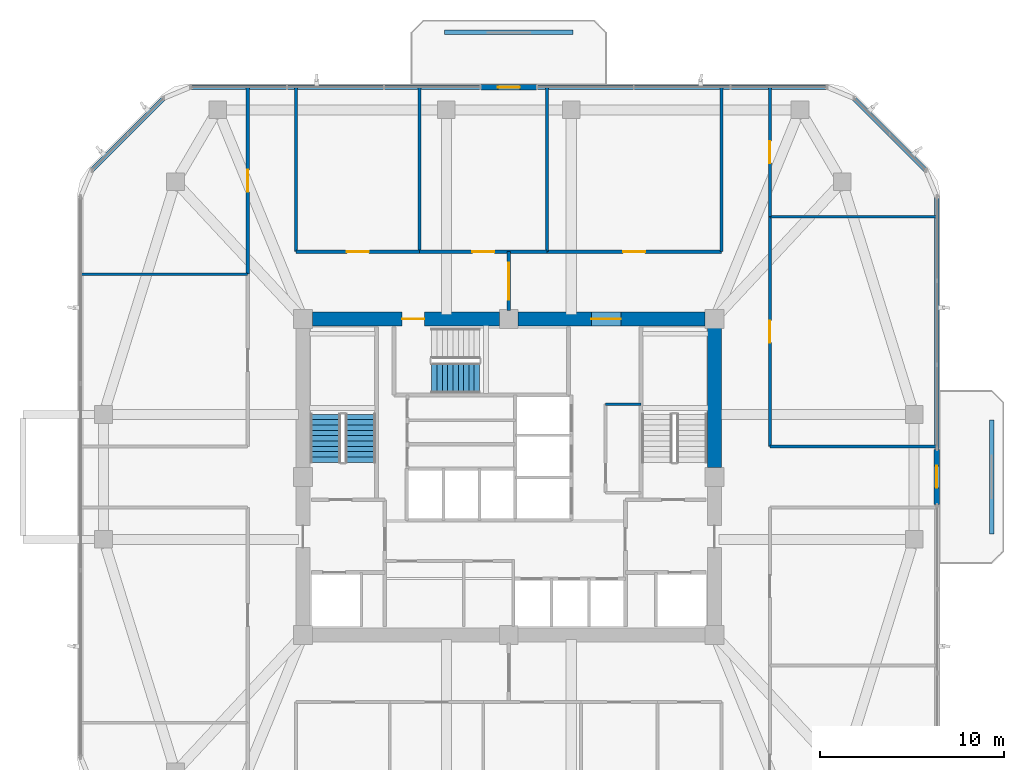
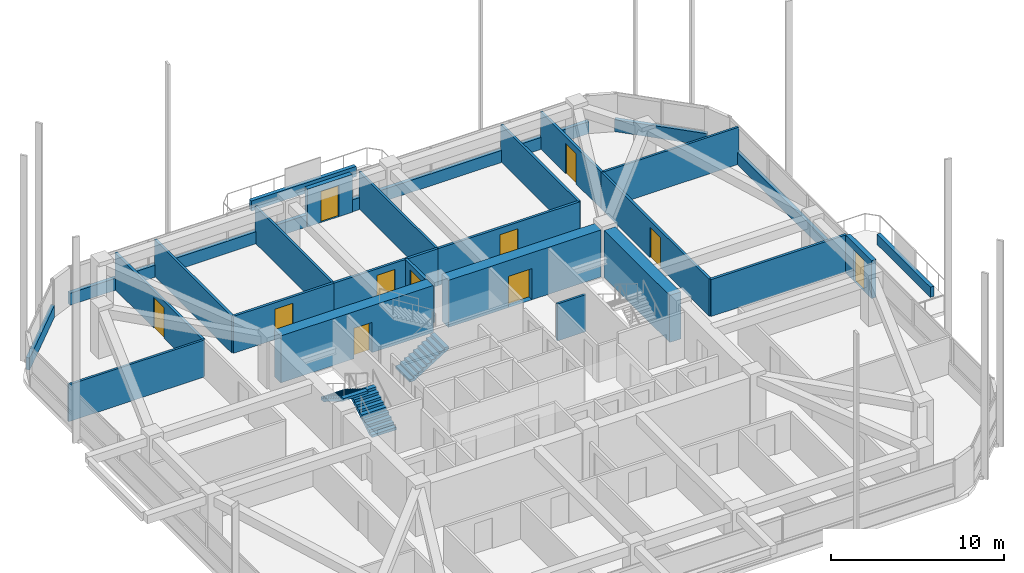
# One storey, part 10 of 14: 27 walls, 11 doors, 3 stair flights, 11 openings, 2 elements without a shape of their own.
"""IFC4 building model written with IfcOpenShell, lengths in metres."""

from ifc_helpers import new_model, si_unit, derived_unit, direction, frame, frame_2d, origin, place, context, subcontext, project, spatial, polyline, rectangle, outline, extrude, material, layer, layer_set, type_object, element, fill, aggregate, save


model = new_model("IFC4")

# Units and contexts
model_context = context("Model", 3, precision=1e-05, world=origin(), true_north=direction((0.0, 1.0)))
body_context = subcontext(model_context, "Body", "Model", "MODEL_VIEW")
ifc_project = project(units=[si_unit("LENGTHUNIT", "METRE"), si_unit("AREAUNIT", "SQUARE_METRE"), si_unit("VOLUMEUNIT", "CUBIC_METRE"), si_unit("PLANEANGLEUNIT", "RADIAN"), si_unit("MASSUNIT", "GRAM", prefix="KILO"), derived_unit("THERMALTRANSMITTANCEUNIT", [(si_unit("POWERUNIT", "WATT"), 1), (si_unit("LENGTHUNIT", "METRE"), -2), (si_unit("THERMODYNAMICTEMPERATUREUNIT", "KELVIN"), -1)])], contexts=[model_context])

# Site, building, storey
site_placement = place(None, origin())
site = spatial("IfcSite", under=ifc_project, at=site_placement, CompositionType="ELEMENT")
building_placement = place(site_placement, origin())
building = spatial("IfcBuilding", under=site, at=building_placement, Name="Koralith Skygarden Medical Center", CompositionType="ELEMENT")
storey_placement = place(building_placement, frame((0.0, 0.0, 145.6201171875)))
storey = spatial("IfcBuildingStorey", under=building, at=storey_placement, Name="L37", CompositionType="ELEMENT", Elevation=145.6201171875)

# Walls
ifc_material_1 = material(Name="Gypsum Board Partition")
ifc_layer_1 = layer(ifc_material_1, 0.14990234375)
ifc_layer_set_1 = layer_set([ifc_layer_1], Name="Gypsum Board Partition")
wall_type_1 = type_object("IfcWallType", Name="Clinical Acoustic Partition 150", PredefinedType="PARTITIONING", material=ifc_layer_set_1)
wall_1_placement = place(storey_placement, frame((42.27001953125, 29.860107421875, 0.0), z_axis=(0.0, 0.0, 1.0), x_axis=(1.0, 0.0, 0.0)))
element("IfcWall", 1, at=wall_1_placement, inside=storey, type_object=wall_type_1, Name="L37 Clinical Acoustic Partition 150 W-CORE-L37-ESUB-N", PredefinedType="PARTITIONING", context=body_context, shape_type="SweptSolid", body=[
    extrude(rectangle(XDim=1.929931640625, YDim=0.14990234375, at=frame_2d((0.96484375, 0.0))), origin(), (0.0, 0.0, 1.0), 2.60986328125),
])
for number, where, z_axis, x_axis, name in (
    (2, (32.14501953125, 38.159912109375, 0.0), (0.0, 0.0, 1.0), (0.0, 1.0, 0.0), "L37 Clinical Acoustic Partition 150 W-PART-L37-N-01"),
    (3, (39.0810546875, 38.159912109375, 0.0), (0.0, 0.0, 1.0), (0.0, 1.0, 0.0), "L37 Clinical Acoustic Partition 150 W-PART-L37-N-02"),
):
    element("IfcWall", number, at=place(storey_placement, frame(where, z_axis=z_axis, x_axis=x_axis)), inside=storey, type_object=wall_type_1, Name=name, PredefinedType="PARTITIONING", context=body_context, shape_type="SweptSolid", body=[
        extrude(rectangle(XDim=8.940185546875, YDim=0.14990234375, at=frame_2d((4.47021484375, 0.0))), origin(), (0.0, 0.0, 1.0), 2.60986328125),
    ])
for number, where, z_axis, x_axis, name in (
    (4, (22.7900390625, 36.93896484375, 0.0), (0.0, 0.0, 1.0), (-1.0, 0.0, 0.0), "L37 Clinical Acoustic Partition 150 W-PART-L37-WN-01"),
    (5, (51.2099609375, 40.06591796875, 0.0), (0.0, 0.0, 1.0), (1.0, 0.0, 0.0), "L37 Clinical Acoustic Partition 150 W-PART-L37-EN-01"),
):
    element("IfcWall", number, at=place(storey_placement, frame(where, z_axis=z_axis, x_axis=x_axis)), inside=storey, type_object=wall_type_1, Name=name, PredefinedType="PARTITIONING", context=body_context, shape_type="SweptSolid", body=[
        extrude(rectangle(XDim=9.073974609375, YDim=0.14990234375, at=frame_2d((4.537109375, 0.0))), origin(), (0.0, 0.0, 1.0), 2.60986328125),
    ])
ifc_layer_2 = layer(ifc_material_1, 0.1650390625)
ifc_layer_set_2 = layer_set([ifc_layer_2], Name="Gypsum Board Partition")
wall_type_2 = type_object("IfcWallType", Name="Clinical Corridor Partition 165", PredefinedType="PARTITIONING", material=ifc_layer_set_2)
for number, where, z_axis, x_axis, name in (
    (6, (25.429931640625, 38.159912109375, 0.0), (0.0, 0.0, 1.0), (0.0, 1.0, 0.0), "L37 Clinical Corridor Partition 165 W-HCOR-L37-NW"),
    (7, (48.570068359375, 38.159912109375, 0.0), (0.0, 0.0, 1.0), (0.0, 1.0, 0.0), "L37 Clinical Corridor Partition 165 W-HCOR-L37-NE"),
):
    element("IfcWall", number, at=place(storey_placement, frame(where, z_axis=z_axis, x_axis=x_axis)), inside=storey, type_object=wall_type_2, Name=name, PredefinedType="PARTITIONING", context=body_context, shape_type="SweptSolid", body=[
        extrude(rectangle(XDim=8.940185546875, YDim=0.1650390625, at=frame_2d((4.47021484375, 0.0))), origin(), (0.0, 0.0, 1.0), 2.60986328125),
    ])
wall_2_placement = place(storey_placement, frame((51.2099609375, 27.56005859375, 0.0), z_axis=(0.0, 0.0, 1.0), x_axis=(1.0, 0.0, 0.0)))
element("IfcWall", 8, at=wall_2_placement, inside=storey, type_object=wall_type_2, Name="L37 Clinical Corridor Partition 165 W-HCOR-L37-EWN-E", PredefinedType="PARTITIONING", context=body_context, shape_type="SweptSolid", body=[
    extrude(rectangle(XDim=9.073974609375, YDim=0.1650390625, at=frame_2d((4.537109375, 0.0))), origin(), (0.0, 0.0, 1.0), 2.60986328125),
])

# Wall, opening, door
wall_3_placement = place(storey_placement, frame((25.429931640625, 38.159912109375, 0.0), z_axis=(0.0, 0.0, 1.0), x_axis=(1.0, 0.0, 0.0)))
wall_3 = element("IfcWall", 9, at=wall_3_placement, inside=storey, type_object=wall_type_2, Name="L37 Clinical Corridor Partition 165 W-CORR-L37-N-01", PredefinedType="PARTITIONING", context=body_context, shape_type="SweptSolid", body=[
    extrude(rectangle(XDim=6.715087890625, YDim=0.1650390625, at=frame_2d((3.357421875, 0.0))), origin(), (0.0, 0.0, 1.0), 2.60986328125),
])
opening_1_placement = place(wall_3_placement, frame((2.758056640625, 0.0, 0.0)))
opening_1 = element("IfcOpeningElement", 10, at=opening_1_placement, cuts=wall_3, Name="Opening D-CLN", PredefinedType="OPENING", context=body_context, shape_type="SweptSolid", body=[
    extrude(rectangle(XDim=1.199951171875, YDim=2.14990234375, at=frame_2d((0.60009765625, 1.074951171875))), frame((0.0, 0.092529296875, 0.0), z_axis=(0.0, -1.0, 0.0), x_axis=(1.0, 0.0, 0.0)), (0.0, 0.0, 1.0), 0.18505859375),
])
ifc_material_2 = material(Name="Aluminium 6063-T6", Category="aluminium")
door_type_1 = type_object("IfcDoorType", Name="Clinical Corridor Door D-CLN 1200", OperationType="NOTDEFINED", PredefinedType="DOOR", material=ifc_material_2)
door_1_placement = place(opening_1_placement, origin())
door_1 = element("IfcDoor", 11, at=door_1_placement, inside=storey, type_object=door_type_1, Name="L37 Dermatology Procedure Room 01 Door", OperationType="SINGLE_SWING_RIGHT", OverallHeight=2.14990234375, OverallWidth=1.199951171875, PredefinedType="DOOR", context=body_context, shape_type="SweptSolid", body=[
    extrude(rectangle(XDim=1.199951171875, YDim=2.14990234375, at=frame_2d((0.60009765625, 1.074951171875))), frame((0.0, 0.02490234375, 0.0), z_axis=(0.0, -1.0, 0.0), x_axis=(1.0, 0.0, 0.0)), (0.0, 0.0, 1.0), 0.050048828125),
])
fill(opening_1, door_1)

wall_4_placement = place(storey_placement, frame((32.14501953125, 38.159912109375, 0.0), z_axis=(0.0, 0.0, 1.0), x_axis=(1.0, 0.0, 0.0)))
wall_4 = element("IfcWall", 12, at=wall_4_placement, inside=storey, type_object=wall_type_2, Name="L37 Clinical Corridor Partition 165 W-CORR-L37-N-02", PredefinedType="PARTITIONING", context=body_context, shape_type="SweptSolid", body=[
    extrude(rectangle(XDim=6.93603515625, YDim=0.1650390625, at=frame_2d((3.468017578125, 0.0))), origin(), (0.0, 0.0, 1.0), 2.60986328125),
])
opening_2_placement = place(wall_4_placement, frame((2.867919921875, 0.0, 0.0)))
opening_2 = element("IfcOpeningElement", 13, at=opening_2_placement, cuts=wall_4, Name="Opening D-CLN", PredefinedType="OPENING", context=body_context, shape_type="SweptSolid", body=[
    extrude(rectangle(XDim=1.199951171875, YDim=2.14990234375, at=frame_2d((0.60009765625, 1.074951171875))), frame((0.0, 0.092529296875, 0.0), z_axis=(0.0, -1.0, 0.0), x_axis=(1.0, 0.0, 0.0)), (0.0, 0.0, 1.0), 0.18505859375),
])
door_2_placement = place(opening_2_placement, origin())
door_2 = element("IfcDoor", 14, at=door_2_placement, inside=storey, type_object=door_type_1, Name="L37 Patient and Family Sky-Garden Day Lounge 02 Door", OperationType="SINGLE_SWING_LEFT", OverallHeight=2.14990234375, OverallWidth=1.199951171875, PredefinedType="DOOR", context=body_context, shape_type="SweptSolid", body=[
    extrude(rectangle(XDim=1.199951171875, YDim=2.14990234375, at=frame_2d((0.60009765625, 1.074951171875))), frame((0.0, 0.02490234375, 0.0), z_axis=(0.0, -1.0, 0.0), x_axis=(1.0, 0.0, 0.0)), (0.0, 0.0, 1.0), 0.050048828125),
])
fill(opening_2, door_2)

wall_5_placement = place(storey_placement, frame((39.0810546875, 38.159912109375, 0.0), z_axis=(0.0, 0.0, 1.0), x_axis=(1.0, 0.0, 0.0)))
wall_5 = element("IfcWall", 15, at=wall_5_placement, inside=storey, type_object=wall_type_2, Name="L37 Clinical Corridor Partition 165 W-CORR-L37-N-03", PredefinedType="PARTITIONING", context=body_context, shape_type="SweptSolid", body=[
    extrude(rectangle(XDim=9.489013671875, YDim=0.1650390625, at=frame_2d((4.74462890625, 0.0))), origin(), (0.0, 0.0, 1.0), 2.60986328125),
])
opening_3_placement = place(wall_5_placement, frame((4.14404296875, 0.0, 0.0)))
opening_3 = element("IfcOpeningElement", 16, at=opening_3_placement, cuts=wall_5, Name="Opening D-CLN", PredefinedType="OPENING", context=body_context, shape_type="SweptSolid", body=[
    extrude(rectangle(XDim=1.199951171875, YDim=2.14990234375, at=frame_2d((0.60009765625, 1.074951171875))), frame((0.0, 0.092529296875, 0.0), z_axis=(0.0, -1.0, 0.0), x_axis=(1.0, 0.0, 0.0)), (0.0, 0.0, 1.0), 0.18505859375),
])
door_3_placement = place(opening_3_placement, origin())
door_3 = element("IfcDoor", 17, at=door_3_placement, inside=storey, type_object=door_type_1, Name="L37 Allergy Immunology Office 03 Door", OperationType="SINGLE_SWING_RIGHT", OverallHeight=2.14990234375, OverallWidth=1.199951171875, PredefinedType="DOOR", context=body_context, shape_type="SweptSolid", body=[
    extrude(rectangle(XDim=1.199951171875, YDim=2.14990234375, at=frame_2d((0.60009765625, 1.074951171875))), frame((0.0, 0.02490234375, 0.0), z_axis=(0.0, -1.0, 0.0), x_axis=(1.0, 0.0, 0.0)), (0.0, 0.0, 1.0), 0.050048828125),
])
fill(opening_3, door_3)

wall_6_placement = place(storey_placement, frame((22.7900390625, 36.93896484375, 0.0), z_axis=(0.0, 0.0, 1.0), x_axis=(0.0, 1.0, 0.0)))
wall_6 = element("IfcWall", 18, at=wall_6_placement, inside=storey, type_object=wall_type_2, Name="L37 Clinical Corridor Partition 165 W-CORR-L37-WN-02", PredefinedType="PARTITIONING", context=body_context, shape_type="SweptSolid", body=[
    extrude(rectangle(XDim=10.1611328125, YDim=0.1650390625, at=frame_2d((5.08056640625, 0.0))), origin(), (0.0, 0.0, 1.0), 2.60986328125),
])
opening_4_placement = place(wall_6_placement, frame((4.48095703125, 0.0, 0.0)))
opening_4 = element("IfcOpeningElement", 19, at=opening_4_placement, cuts=wall_6, Name="Opening D-CLN", PredefinedType="OPENING", context=body_context, shape_type="SweptSolid", body=[
    extrude(rectangle(XDim=1.199951171875, YDim=2.14990234375, at=frame_2d((0.60009765625, 1.074951171875))), frame((0.0, 0.092529296875, 0.0), z_axis=(0.0, -1.0, 0.0), x_axis=(1.0, 0.0, 0.0)), (0.0, 0.0, 1.0), 0.18505859375),
])
door_4_placement = place(opening_4_placement, frame((1.199951171875, 0.0, 0.0), z_axis=(0.0, 0.0, 1.0), x_axis=(-1.0, 0.0, 0.0)))
door_4 = element("IfcDoor", 20, at=door_4_placement, inside=storey, type_object=door_type_1, Name="L37 Clinical Tea Pantry 12 Door", OperationType="SINGLE_SWING_LEFT", OverallHeight=2.14990234375, OverallWidth=1.199951171875, PredefinedType="DOOR", context=body_context, shape_type="SweptSolid", body=[
    extrude(rectangle(XDim=1.199951171875, YDim=2.14990234375, at=frame_2d((0.60009765625, 1.074951171875))), frame((0.0, 0.02490234375, 0.0), z_axis=(0.0, -1.0, 0.0), x_axis=(1.0, 0.0, 0.0)), (0.0, 0.0, 1.0), 0.050048828125),
])
fill(opening_4, door_4)

wall_7_placement = place(storey_placement, frame((51.2099609375, 27.56005859375, 0.0), z_axis=(0.0, 0.0, 1.0), x_axis=(0.0, 1.0, 0.0)))
wall_7 = element("IfcWall", 21, at=wall_7_placement, inside=storey, type_object=wall_type_2, Name="L37 Clinical Corridor Partition 165 W-CORR-L37-EN-01", PredefinedType="PARTITIONING", context=body_context, shape_type="SweptSolid", body=[
    extrude(rectangle(XDim=12.505859375, YDim=0.1650390625, at=frame_2d((6.2529296875, 0.0))), origin(), (0.0, 0.0, 1.0), 2.60986328125),
])
opening_5_placement = place(wall_7_placement, frame((5.653076171875, 0.0, 0.0)))
opening_5 = element("IfcOpeningElement", 22, at=opening_5_placement, cuts=wall_7, Name="Opening D-CLN", PredefinedType="OPENING", context=body_context, shape_type="SweptSolid", body=[
    extrude(rectangle(XDim=1.199951171875, YDim=2.14990234375, at=frame_2d((0.60009765625, 1.074951171875))), frame((0.0, 0.092529296875, 0.0), z_axis=(0.0, -1.0, 0.0), x_axis=(1.0, 0.0, 0.0)), (0.0, 0.0, 1.0), 0.18505859375),
])
door_5_placement = place(opening_5_placement, origin())
door_5 = element("IfcDoor", 23, at=door_5_placement, inside=storey, type_object=door_type_1, Name="L37 Allergy Immunology Office 15 Door", OperationType="SINGLE_SWING_RIGHT", OverallHeight=2.14990234375, OverallWidth=1.199951171875, PredefinedType="DOOR", context=body_context, shape_type="SweptSolid", body=[
    extrude(rectangle(XDim=1.199951171875, YDim=2.14990234375, at=frame_2d((0.60009765625, 1.074951171875))), frame((0.0, 0.02490234375, 0.0), z_axis=(0.0, -1.0, 0.0), x_axis=(1.0, 0.0, 0.0)), (0.0, 0.0, 1.0), 0.050048828125),
])
fill(opening_5, door_5)

wall_8_placement = place(storey_placement, frame((51.2099609375, 40.06591796875, 0.0), z_axis=(0.0, 0.0, 1.0), x_axis=(0.0, 1.0, 0.0)))
wall_8 = element("IfcWall", 24, at=wall_8_placement, inside=storey, type_object=wall_type_2, Name="L37 Clinical Corridor Partition 165 W-CORR-L37-EN-02", PredefinedType="PARTITIONING", context=body_context, shape_type="SweptSolid", body=[
    extrude(rectangle(XDim=7.0341796875, YDim=0.1650390625, at=frame_2d((3.51708984375, 0.0))), origin(), (0.0, 0.0, 1.0), 2.60986328125),
])
opening_6_placement = place(wall_8_placement, frame((2.9169921875, 0.0, 0.0)))
opening_6 = element("IfcOpeningElement", 25, at=opening_6_placement, cuts=wall_8, Name="Opening D-CLN", PredefinedType="OPENING", context=body_context, shape_type="SweptSolid", body=[
    extrude(rectangle(XDim=1.199951171875, YDim=2.14990234375, at=frame_2d((0.60009765625, 1.074951171875))), frame((0.0, 0.092529296875, 0.0), z_axis=(0.0, -1.0, 0.0), x_axis=(1.0, 0.0, 0.0)), (0.0, 0.0, 1.0), 0.18505859375),
])
door_6_placement = place(opening_6_placement, origin())
door_6 = element("IfcDoor", 26, at=door_6_placement, inside=storey, type_object=door_type_1, Name="L37 Clinical Tea Pantry 16 Door", OperationType="SINGLE_SWING_LEFT", OverallHeight=2.14990234375, OverallWidth=1.199951171875, PredefinedType="DOOR", context=body_context, shape_type="SweptSolid", body=[
    extrude(rectangle(XDim=1.199951171875, YDim=2.14990234375, at=frame_2d((0.60009765625, 1.074951171875))), frame((0.0, 0.02490234375, 0.0), z_axis=(0.0, -1.0, 0.0), x_axis=(1.0, 0.0, 0.0)), (0.0, 0.0, 1.0), 0.050048828125),
])
fill(opening_6, door_6)

ifc_layer_3 = layer(ifc_material_1, 0.179931640625)
ifc_layer_set_3 = layer_set([ifc_layer_3], Name="Gypsum Board Partition")
wall_type_3 = type_object("IfcWallType", Name="Group I-2 Smoke Barrier Wall 180", PredefinedType="PARTITIONING", material=ifc_layer_set_3)
wall_9_placement = place(storey_placement, frame((37.0, 34.949951171875, 0.0), z_axis=(0.0, 0.0, 1.0), x_axis=(0.0, 1.0, 0.0)))
wall_9 = element("IfcWall", 27, at=wall_9_placement, inside=storey, type_object=wall_type_3, Name="L37 Group I-2 Smoke Barrier Wall 180 W-SMK-L37-N", PredefinedType="PARTITIONING", context=body_context, shape_type="SweptSolid", body=[
    extrude(rectangle(XDim=3.2099609375, YDim=0.179931640625, at=frame_2d((1.60498046875, 0.0))), origin(), (0.0, 0.0, 1.0), 2.60986328125),
])
opening_7_placement = place(wall_9_placement, frame((0.60498046875, 0.0, 0.0)))
opening_7 = element("IfcOpeningElement", 28, at=opening_7_placement, cuts=wall_9, Name="Opening D-SMK", PredefinedType="OPENING", context=body_context, shape_type="SweptSolid", body=[
    extrude(rectangle(XDim=2.0, YDim=2.199951171875, at=frame_2d((1.0, 1.10009765625))), frame((0.0, 0.099853515625, 0.0), z_axis=(0.0, -1.0, 0.0), x_axis=(1.0, 0.0, 0.0)), (0.0, 0.0, 1.0), 0.199951171875),
])
ifc_material_3 = material(Name="Steel ASTM A500 Grade C", Category="steel")
door_type_2 = type_object("IfcDoorType", Name="Cross-Corridor Double Smoke Door FD60S 2000", OperationType="NOTDEFINED", PredefinedType="DOOR", material=ifc_material_3)
door_7_placement = place(opening_7_placement, origin())
door_7 = element("IfcDoor", 29, at=door_7_placement, inside=storey, type_object=door_type_2, Name="L37 N Smoke Compartment Cross-Corridor Door", OperationType="DOUBLE_DOOR_SINGLE_SWING", OverallHeight=2.199951171875, OverallWidth=2.0, PredefinedType="DOOR", context=body_context, shape_type="SweptSolid", body=[
    extrude(rectangle(XDim=2.0, YDim=2.199951171875, at=frame_2d((1.0, 1.10009765625))), frame((0.0, 0.02490234375, 0.0), z_axis=(0.0, -1.0, 0.0), x_axis=(1.0, 0.0, 0.0)), (0.0, 0.0, 1.0), 0.050048828125),
])
fill(opening_7, door_7)

# Walls
ifc_material_4 = material(Name="Warm Oolitic Limestone Cladding", Category="masonry")
ifc_layer_4 = layer(ifc_material_4, 0.239990234375)
ifc_layer_set_4 = layer_set([ifc_layer_4], Name="Warm Oolitic Limestone Cladding")
wall_type_4 = type_object("IfcWallType", Name="Limestone Spandrel Sill Backup Wall 240", PredefinedType="SOLIDWALL", material=ifc_layer_set_4)
wall_10_placement = place(storey_placement, frame((60.303955078125, 27.43994140625, 0.0), z_axis=(0.0, 0.0, 1.0), x_axis=(0.0, 1.0, 0.0)))
element("IfcWall", 30, at=wall_10_placement, inside=storey, type_object=wall_type_4, Name="L37 Sill Spandrel E-R", PredefinedType="SOLIDWALL", context=body_context, shape_type="SweptSolid", body=[
    extrude(rectangle(XDim=13.705078125, YDim=0.239990234375, at=frame_2d((6.8525390625, 0.0))), origin(), (0.0, 0.0, 1.0), 0.849853515625),
])
wall_11_placement = place(storey_placement, frame((59.702880859375, 42.595947265625, 0.0), z_axis=(0.0, 0.0, 1.0), x_axis=(-0.707084777957, 0.707128783731, 0.0)))
element("IfcWall", 31, at=wall_11_placement, inside=storey, type_object=wall_type_4, Name="L37 Sill Spandrel NE", PredefinedType="SOLIDWALL", context=body_context, shape_type="SweptSolid", body=[
    extrude(rectangle(XDim=5.5478515625, YDim=0.239990234375, at=frame_2d((2.77392578125, 0.0))), origin(), (0.0, 0.0, 1.0), 0.849853515625),
])
wall_12_placement = place(storey_placement, frame((54.3291015625, 47.1201171875, 0.0), z_axis=(0.0, 0.0, 1.0), x_axis=(-1.0, 0.0, 0.0)))
element("IfcWall", 32, at=wall_12_placement, inside=storey, type_object=wall_type_4, Name="L37 Sill Spandrel N-L", PredefinedType="SOLIDWALL", context=body_context, shape_type="SweptSolid", body=[
    extrude(rectangle(XDim=15.7880859375, YDim=0.239990234375, at=frame_2d((7.89404296875, 0.0))), origin(), (0.0, 0.0, 1.0), 0.849853515625),
])
wall_13_placement = place(storey_placement, frame((35.4609375, 47.1201171875, 0.0), z_axis=(0.0, 0.0, 1.0), x_axis=(-1.0, 0.0, 0.0)))
element("IfcWall", 33, at=wall_13_placement, inside=storey, type_object=wall_type_4, Name="L37 Sill Spandrel N-R", PredefinedType="SOLIDWALL", context=body_context, shape_type="SweptSolid", body=[
    extrude(rectangle(XDim=15.7900390625, YDim=0.239990234375, at=frame_2d((7.89501953125, 0.0))), origin(), (0.0, 0.0, 1.0), 0.849853515625),
])
wall_14_placement = place(storey_placement, frame((18.219970703125, 46.51904296875, 0.0), z_axis=(0.0, 0.0, 1.0), x_axis=(-0.707084777957, -0.707128783731, 0.0)))
element("IfcWall", 34, at=wall_14_placement, inside=storey, type_object=wall_type_4, Name="L37 Sill Spandrel NW", PredefinedType="SOLIDWALL", context=body_context, shape_type="SweptSolid", body=[
    extrude(rectangle(XDim=5.5478515625, YDim=0.239990234375, at=frame_2d((2.77392578125, 0.0))), origin(), (0.0, 0.0, 1.0), 0.849853515625),
])
ifc_material_5 = material(Name="Concrete C70/85", Category="concrete")
ifc_layer_5 = layer(ifc_material_5, 0.75)
ifc_layer_set_5 = layer_set([ifc_layer_5], Name="Concrete C70/85")
wall_type_5 = type_object("IfcWallType", Name="Mid Core Shear Wall 750", PredefinedType="SHEAR", material=ifc_layer_set_5)
wall_15_placement = place(storey_placement, frame((48.199951171875, 26.405029296875, 0.0), z_axis=(0.0, 0.0, 1.0), x_axis=(0.0, 1.0, 0.0)))
element("IfcWall", 35, at=wall_15_placement, inside=storey, type_object=wall_type_5, Name="L37 Core Shear Wall Segment 4", PredefinedType="SHEAR", context=body_context, shape_type="SweptSolid", body=[
    extrude(rectangle(XDim=7.590087890625, YDim=0.75, at=frame_2d((3.794921875, 0.0))), origin(), (0.0, 0.0, 1.0), 3.31982421875),
])

# Wall, opening, door
wall_16_placement = place(storey_placement, frame((47.695068359375, 34.5, 0.0), z_axis=(0.0, 0.0, 1.0), x_axis=(-1.0, 0.0, 0.0)))
wall_16 = element("IfcWall", 36, at=wall_16_placement, inside=storey, type_object=wall_type_5, Name="L37 Core Shear Wall Segment 5", PredefinedType="SHEAR", context=body_context, shape_type="SweptSolid", body=[
    extrude(rectangle(XDim=10.190185546875, YDim=0.75, at=frame_2d((5.09521484375, 0.0))), origin(), (0.0, 0.0, 1.0), 3.31982421875),
])
opening_8_placement = place(wall_16_placement, frame((4.594970703125, 0.0, 0.0)))
opening_8 = element("IfcOpeningElement", 37, at=opening_8_placement, cuts=wall_16, Name="Opening D-DBL", PredefinedType="OPENING", context=body_context, shape_type="SweptSolid", body=[
    extrude(rectangle(XDim=1.60009765625, YDim=2.199951171875, at=frame_2d((0.800048828125, 1.10009765625))), frame((0.0, 0.385009765625, 0.0), z_axis=(0.0, -1.0, 0.0), x_axis=(1.0, 0.0, 0.0)), (0.0, 0.0, 1.0), 0.77001953125),
])
door_type_3 = type_object("IfcDoorType", Name="Double Clinical Suite Door D-DBL 1600", OperationType="NOTDEFINED", PredefinedType="DOOR", material=ifc_material_2)
door_8_placement = place(opening_8_placement, frame((1.60009765625, 0.0, 0.0), z_axis=(0.0, 0.0, 1.0), x_axis=(-1.0, 0.0, 0.0)))
door_8 = element("IfcDoor", 38, at=door_8_placement, inside=storey, type_object=door_type_3, Name="L37 North-East Corridor to Elevator Lobby Door", OperationType="DOUBLE_DOOR_SINGLE_SWING", OverallHeight=2.199951171875, OverallWidth=1.60009765625, PredefinedType="DOOR", context=body_context, shape_type="SweptSolid", body=[
    extrude(rectangle(XDim=1.60009765625, YDim=2.199951171875, at=frame_2d((0.800048828125, 1.10009765625))), frame((0.0, 0.02490234375, 0.0), z_axis=(0.0, -1.0, 0.0), x_axis=(1.0, 0.0, 0.0)), (0.0, 0.0, 1.0), 0.050048828125),
])
fill(opening_8, door_8)

wall_17_placement = place(storey_placement, frame((36.4951171875, 34.5, 0.0), z_axis=(0.0, 0.0, 1.0), x_axis=(-1.0, 0.0, 0.0)))
wall_17 = element("IfcWall", 39, at=wall_17_placement, inside=storey, type_object=wall_type_5, Name="L37 Core Shear Wall Segment 6", PredefinedType="SHEAR", context=body_context, shape_type="SweptSolid", body=[
    extrude(rectangle(XDim=10.190185546875, YDim=0.75, at=frame_2d((5.09521484375, 0.0))), origin(), (0.0, 0.0, 1.0), 3.31982421875),
])
opening_9_placement = place(wall_17_placement, frame((4.094970703125, 0.0, 0.0)))
opening_9 = element("IfcOpeningElement", 40, at=opening_9_placement, cuts=wall_17, Name="Opening D-ST60", PredefinedType="OPENING", context=body_context, shape_type="SweptSolid", body=[
    extrude(rectangle(XDim=1.199951171875, YDim=2.14990234375, at=frame_2d((0.60009765625, 1.074951171875))), frame((0.0, 0.385009765625, 0.0), z_axis=(0.0, -1.0, 0.0), x_axis=(1.0, 0.0, 0.0)), (0.0, 0.0, 1.0), 0.77001953125),
])
door_type_4 = type_object("IfcDoorType", Name="Smokeproof Stair Fire Door FD60S 1200", OperationType="NOTDEFINED", PredefinedType="DOOR", material=ifc_material_3)
door_9_placement = place(opening_9_placement, frame((1.199951171875, 0.0, 0.0), z_axis=(0.0, 0.0, 1.0), x_axis=(-1.0, 0.0, 0.0)))
door_9 = element("IfcDoor", 41, at=door_9_placement, inside=storey, type_object=door_type_4, Name="L37 Exit Stair ST3 Fire Door", OperationType="SINGLE_SWING_LEFT", OverallHeight=2.14990234375, OverallWidth=1.199951171875, PredefinedType="DOOR", context=body_context, shape_type="SweptSolid", body=[
    extrude(rectangle(XDim=1.199951171875, YDim=2.14990234375, at=frame_2d((0.60009765625, 1.074951171875))), frame((0.0, 0.02490234375, 0.0), z_axis=(0.0, -1.0, 0.0), x_axis=(1.0, 0.0, 0.0)), (0.0, 0.0, 1.0), 0.050048828125),
])
fill(opening_9, door_9)

ifc_layer_6 = layer(ifc_material_4, 0.300048828125)
ifc_layer_set_6 = layer_set([ifc_layer_6], Name="Warm Oolitic Limestone Cladding")
wall_type_6 = type_object("IfcWallType", Name="Oolitic Limestone Insulated Facade Wall 300", PredefinedType="SOLIDWALL", material=ifc_layer_set_6)
wall_18_placement = place(storey_placement, frame((60.303955078125, 24.39990234375, 0.0), z_axis=(0.0, 0.0, 1.0), x_axis=(0.0, 1.0, 0.0)))
wall_18 = element("IfcWall", 42, at=wall_18_placement, inside=storey, type_object=wall_type_6, Name="L37 Terrace Portal Wall E", PredefinedType="SOLIDWALL", context=body_context, shape_type="SweptSolid", body=[
    extrude(rectangle(XDim=3.0, YDim=0.300048828125, at=frame_2d((1.5, 0.0))), origin(), (0.0, 0.0, 1.0), 2.669921875),
])
opening_10_placement = place(wall_18_placement, frame((0.89990234375, 0.0, 0.0)))
opening_10 = element("IfcOpeningElement", 43, at=opening_10_placement, cuts=wall_18, Name="Opening D-BAL", PredefinedType="OPENING", context=body_context, shape_type="SweptSolid", body=[
    extrude(rectangle(XDim=1.199951171875, YDim=2.199951171875, at=frame_2d((0.60009765625, 1.10009765625))), frame((0.0, 0.159912109375, 0.0), z_axis=(0.0, -1.0, 0.0), x_axis=(1.0, 0.0, 0.0)), (0.0, 0.0, 1.0), 0.320068359375),
])
door_type_5 = type_object("IfcDoorType", Name="Planted Balcony Glazed Terrace Door D-BAL 1200", OperationType="NOTDEFINED", PredefinedType="DOOR", material=ifc_material_2)
door_10_placement = place(opening_10_placement, origin())
door_10 = element("IfcDoor", 44, at=door_10_placement, inside=storey, type_object=door_type_5, Name="L37 E Outdoor Terrace Access Door", OperationType="SINGLE_SWING_RIGHT", OverallHeight=2.199951171875, OverallWidth=1.199951171875, PredefinedType="DOOR", context=body_context, shape_type="SweptSolid", body=[
    extrude(rectangle(XDim=1.199951171875, YDim=2.199951171875, at=frame_2d((0.60009765625, 1.10009765625))), frame((0.0, 0.02490234375, 0.0), z_axis=(0.0, -1.0, 0.0), x_axis=(1.0, 0.0, 0.0)), (0.0, 0.0, 1.0), 0.050048828125),
])
fill(opening_10, door_10)

wall_19_placement = place(storey_placement, frame((38.5009765625, 47.1201171875, 0.0), z_axis=(0.0, 0.0, 1.0), x_axis=(-1.0, 0.0, 0.0)))
wall_19 = element("IfcWall", 45, at=wall_19_placement, inside=storey, type_object=wall_type_6, Name="L37 Terrace Portal Wall N", PredefinedType="SOLIDWALL", context=body_context, shape_type="SweptSolid", body=[
    extrude(rectangle(XDim=3.0, YDim=0.300048828125, at=frame_2d((1.5, 0.0))), origin(), (0.0, 0.0, 1.0), 2.669921875),
])
opening_11_placement = place(wall_19_placement, frame((0.89990234375, 0.0, 0.0)))
opening_11 = element("IfcOpeningElement", 46, at=opening_11_placement, cuts=wall_19, Name="Opening D-BAL", PredefinedType="OPENING", context=body_context, shape_type="SweptSolid", body=[
    extrude(rectangle(XDim=1.199951171875, YDim=2.199951171875, at=frame_2d((0.60009765625, 1.10009765625))), frame((0.0, 0.159912109375, 0.0), z_axis=(0.0, -1.0, 0.0), x_axis=(1.0, 0.0, 0.0)), (0.0, 0.0, 1.0), 0.320068359375),
])
door_11_placement = place(opening_11_placement, origin())
door_11 = element("IfcDoor", 47, at=door_11_placement, inside=storey, type_object=door_type_5, Name="L37 N Outdoor Terrace Access Door", OperationType="SINGLE_SWING_RIGHT", OverallHeight=2.199951171875, OverallWidth=1.199951171875, PredefinedType="DOOR", context=body_context, shape_type="SweptSolid", body=[
    extrude(rectangle(XDim=1.199951171875, YDim=2.199951171875, at=frame_2d((0.60009765625, 1.10009765625))), frame((0.0, 0.02490234375, 0.0), z_axis=(0.0, -1.0, 0.0), x_axis=(1.0, 0.0, 0.0)), (0.0, 0.0, 1.0), 0.050048828125),
])
fill(opening_11, door_11)

# Walls
ifc_material_6 = material(Name="Precast concrete C40/50", Category="concrete")
ifc_layer_7 = layer(ifc_material_6, 0.25)
ifc_layer_set_7 = layer_set([ifc_layer_7], Name="Precast concrete C40/50")
wall_type_7 = type_object("IfcWallType", Name="Structural Concrete Balcony Planter Kerb 250", PredefinedType="PARAPET", material=ifc_layer_set_7)
wall_20_placement = place(storey_placement, frame((33.5, 50.10009765625, 0.0), z_axis=(0.0, 0.0, 1.0), x_axis=(1.0, 0.0, 0.0)))
element("IfcWall", 48, at=wall_20_placement, inside=storey, type_object=wall_type_7, Name="L37 N Structural Tree PLANTER Box", PredefinedType="PARAPET", context=body_context, shape_type="SweptSolid", body=[
    extrude(rectangle(XDim=7.0, YDim=0.25, at=frame_2d((3.5, 0.0))), origin(), (0.0, 0.0, 1.0), 0.719970703125),
])
wall_21_placement = place(storey_placement, frame((63.283935546875, 22.800048828125, 0.0), z_axis=(0.0, 0.0, 1.0), x_axis=(0.0, 1.0, 0.0)))
element("IfcWall", 49, at=wall_21_placement, inside=storey, type_object=wall_type_7, Name="L37 E Structural Tree PLANTER Box", PredefinedType="PARAPET", context=body_context, shape_type="SweptSolid", body=[
    extrude(rectangle(XDim=6.199951171875, YDim=0.25, at=frame_2d((3.10009765625, 0.0))), origin(), (0.0, 0.0, 1.0), 0.719970703125),
])

# Stair, stair flights
ifc_material_7 = material(Name="Concrete C45/55", Category="concrete")
stair_type = type_object("IfcStairType", Name="Core Exit Dogleg Concrete Stair", PredefinedType="HALF_TURN_STAIR", material=ifc_material_7)
stair_1_placement = place(storey_placement, origin())
stair_1 = element("IfcStair", 50, at=stair_1_placement, inside=storey, type_object=stair_type, Name="L37 Smokeproof Exit Stair ST1", PredefinedType="HALF_TURN_STAIR")
stair_flight_type = type_object("IfcStairFlightType", Name="Core Exit Concrete Stair Flight 1650", PredefinedType="STRAIGHT", material=ifc_material_7)
stair_flight_1_placement = place(storey_placement, frame((28.925048828125, 26.699951171875, 0.0), z_axis=(0.0, 0.0, 1.0), x_axis=(0.0, 1.0, 0.0)))
stair_flight_1 = element("IfcStairFlight", 51, at=stair_flight_1_placement, type_object=stair_flight_type, Name="ST1 flight 1", NumberOfRisers=10, NumberOfTreads=9, PredefinedType="STRAIGHT", RiserHeight=0.18, TreadLength=0.29, context=body_context, shape_type="SweptSolid", body=[
    extrude(outline(polyline([(0.0, 0.0), (0.0, 0.179931640625), (0.2900390625, 0.179931640625), (0.2900390625, 0.360107421875), (0.580078125, 0.360107421875), (0.580078125, 0.5400390625), (0.8701171875, 0.5400390625), (0.8701171875, 0.719970703125), (1.159912109375, 0.719970703125), (1.159912109375, 0.89990234375), (1.449951171875, 0.89990234375), (1.449951171875, 1.080078125), (1.739990234375, 1.080078125), (1.739990234375, 1.260009765625), (2.030029296875, 1.260009765625), (2.030029296875, 1.43994140625), (2.320068359375, 1.43994140625), (2.320068359375, 1.6201171875), (2.610107421875, 1.6201171875), (2.610107421875, 1.800048828125), (2.610107421875, 1.443603515625), (0.2841796875, 0.0), (0.0, 0.0)])), frame((0.0, 0.824951171875, 0.0), z_axis=(0.0, -1.0, 0.0), x_axis=(1.0, 0.0, 0.0)), (0.0, 0.0, 1.0), 1.64990234375),
])
stair_flight_2_placement = place(storey_placement, frame((27.02490234375, 29.31005859375, 1.7998046875), z_axis=(0.0, 0.0, 1.0), x_axis=(0.0, -1.0, 0.0)))
stair_flight_2 = element("IfcStairFlight", 52, at=stair_flight_2_placement, type_object=stair_flight_type, Name="ST1 flight 2", NumberOfRisers=10, NumberOfTreads=9, PredefinedType="STRAIGHT", RiserHeight=0.18, TreadLength=0.29, context=body_context, shape_type="SweptSolid", body=[
    extrude(outline(polyline([(0.0, 0.0), (0.0, 0.179931640625), (0.2900390625, 0.179931640625), (0.2900390625, 0.360107421875), (0.580078125, 0.360107421875), (0.580078125, 0.5400390625), (0.8701171875, 0.5400390625), (0.8701171875, 0.719970703125), (1.159912109375, 0.719970703125), (1.159912109375, 0.89990234375), (1.449951171875, 0.89990234375), (1.449951171875, 1.080078125), (1.739990234375, 1.080078125), (1.739990234375, 1.260009765625), (2.030029296875, 1.260009765625), (2.030029296875, 1.43994140625), (2.320068359375, 1.43994140625), (2.320068359375, 1.6201171875), (2.610107421875, 1.6201171875), (2.610107421875, 1.800048828125), (2.610107421875, 1.443603515625), (0.2841796875, 0.0), (0.0, 0.0)])), frame((0.0, 0.824951171875, 0.0), z_axis=(0.0, -1.0, 0.0), x_axis=(1.0, 0.0, 0.0)), (0.0, 0.0, 1.0), 1.64990234375),
])
aggregate(stair_1, [stair_flight_1, stair_flight_2])

# Stair, stair flight
stair_2_placement = place(storey_placement, origin())
stair_2 = element("IfcStair", 53, at=stair_2_placement, inside=storey, type_object=stair_type, Name="L37 Smokeproof Exit Stair ST3", PredefinedType="HALF_TURN_STAIR")
stair_flight_3_placement = place(storey_placement, frame((32.800048828125, 31.27490234375, 0.0), z_axis=(0.0, 0.0, 1.0), x_axis=(1.0, 0.0, 0.0)))
stair_flight_3 = element("IfcStairFlight", 54, at=stair_flight_3_placement, type_object=stair_flight_type, Name="ST3 flight 1", NumberOfRisers=10, NumberOfTreads=9, PredefinedType="STRAIGHT", RiserHeight=0.18, TreadLength=0.29, context=body_context, shape_type="SweptSolid", body=[
    extrude(outline(polyline([(0.0, 0.0), (0.0, 0.179931640625), (0.2900390625, 0.179931640625), (0.2900390625, 0.360107421875), (0.580078125, 0.360107421875), (0.580078125, 0.5400390625), (0.8701171875, 0.5400390625), (0.8701171875, 0.719970703125), (1.159912109375, 0.719970703125), (1.159912109375, 0.89990234375), (1.449951171875, 0.89990234375), (1.449951171875, 1.080078125), (1.739990234375, 1.080078125), (1.739990234375, 1.260009765625), (2.030029296875, 1.260009765625), (2.030029296875, 1.43994140625), (2.320068359375, 1.43994140625), (2.320068359375, 1.6201171875), (2.610107421875, 1.6201171875), (2.610107421875, 1.800048828125), (2.610107421875, 1.443603515625), (0.2841796875, 0.0), (0.0, 0.0)])), frame((0.0, 0.824951171875, 0.0), z_axis=(0.0, -1.0, 0.0), x_axis=(1.0, 0.0, 0.0)), (0.0, 0.0, 1.0), 1.64990234375),
])
aggregate(stair_2, [stair_flight_3])

save(model, "model.ifc")
